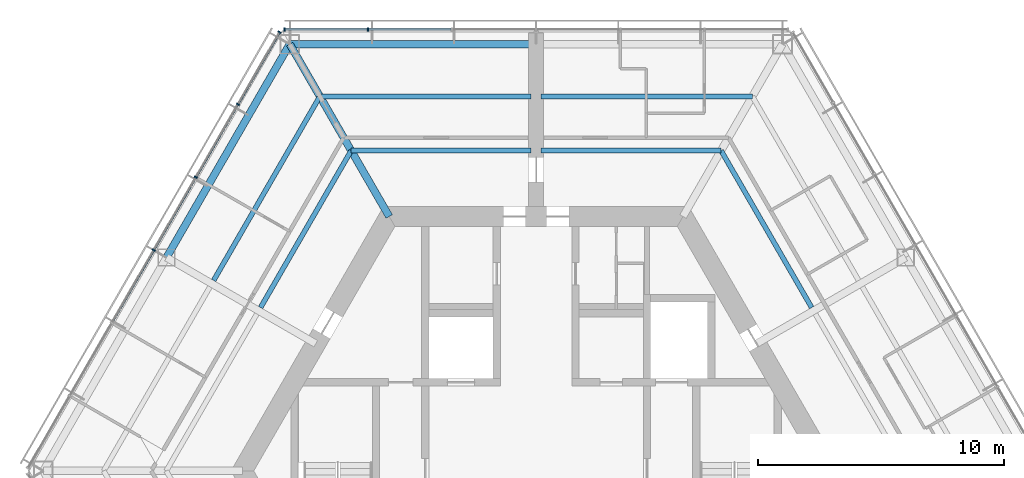
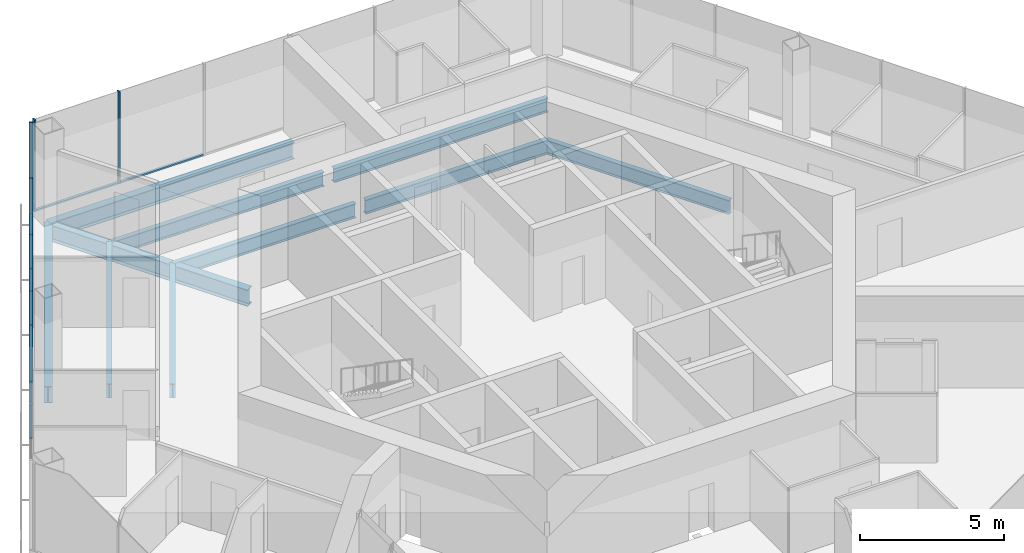
# One storey, part 6 of 17: 12 members, 10 beams, 2 elements without a shape of their own.
"""IFC4 building model written with IfcOpenShell, lengths in metres."""

import ifcopenshell
import ifcopenshell.guid

model = None  # the IFC model being written
_history = None  # IfcOwnerHistory: only IFC2X3 demands one
_inside = {}  # id of a spatial element -> (the spatial element, [elements in it])
_under = {}  # id of a project, library or spatial element -> (it, [spatial elements below it])
_declared = {}  # id of a project -> (the project, [libraries it declares])
_typed = {}  # id of a type object -> (the type object, [elements of that type])
_made_of = {}  # id of a material, layer set ... -> (it, [elements and type objects made of it])


def new_model(schema):
    """Start an empty IFC model of exactly this schema.

    Asked for "IFC4X3", IfcOpenShell would pick the latest addendum, in which some entities
    have other attributes; the version numbers below select the first issue.
    IFC2X3 requires an IfcOwnerHistory on every rooted entity: one is made here for all.
    """
    global model, _history
    if schema == "IFC4X3":
        model = ifcopenshell.file(schema_version=(4, 3, 0, 0))
    else:
        model = ifcopenshell.file(schema=schema)
    _inside.clear()
    _under.clear()
    _declared.clear()
    _typed.clear()
    _made_of.clear()
    _history = None
    if model.schema == "IFC2X3":
        org = make("IfcOrganization", Name="unknown")
        user = make(
            "IfcPersonAndOrganization",
            ThePerson=make("IfcPerson", FamilyName="unknown"),
            TheOrganization=org,
        )
        app = make(
            "IfcApplication",
            ApplicationDeveloper=org,
            Version="unknown",
            ApplicationFullName="unknown",
            ApplicationIdentifier="unknown",
        )
        _history = make(
            "IfcOwnerHistory",
            OwningUser=user,
            OwningApplication=app,
            ChangeAction="ADDED",
            CreationDate=0,
        )
    return model


def make(cls, **values):
    """One entity of the class cls with the attributes given. An attribute that is None is left unset."""
    return model.create_entity(
        cls, **{name: value for name, value in values.items() if value is not None}
    )


def rooted(cls, **values):
    """An entity with a GlobalId (a new one), such as an element, a storey or a relation."""
    return make(cls, GlobalId=ifcopenshell.guid.new(), OwnerHistory=_history, **values)


def si_unit(unit_type, name, prefix=None):
    """IfcSIUnit, for example si_unit("LENGTHUNIT", "METRE", prefix="MILLI")."""
    return make("IfcSIUnit", UnitType=unit_type, Prefix=prefix, Name=name)


def assignment(units):
    """IfcUnitAssignment: the units of a project."""
    return None if units is None else make("IfcUnitAssignment", Units=units)


def point(xyz):
    """IfcCartesianPoint."""
    return None if xyz is None else make("IfcCartesianPoint", Coordinates=xyz)


def direction(xyz):
    """IfcDirection."""
    return None if xyz is None else make("IfcDirection", DirectionRatios=xyz)


def frame(location, z_axis=None, x_axis=None):
    """IfcAxis2Placement3D, a coordinate frame: its origin and axes. An axis left out is left unset."""
    return make(
        "IfcAxis2Placement3D",
        Location=point(location),
        Axis=direction(z_axis),
        RefDirection=direction(x_axis),
    )


def frame_2d(location, x_axis=None):
    """IfcAxis2Placement2D, a coordinate frame in the plane: its origin and x axis."""
    return make(
        "IfcAxis2Placement2D", Location=point(location), RefDirection=direction(x_axis)
    )


def origin():
    """The frame at (0, 0, 0) with its axes left unset."""
    return frame((0.0, 0.0, 0.0))


def origin_2d():
    """The frame at (0, 0) in the plane with its x axis left unset."""
    return frame_2d((0.0, 0.0))


def place(relative_to, where):
    """IfcLocalPlacement: puts the frame where relative to a parent placement (None: the world)."""
    return make(
        "IfcLocalPlacement", PlacementRelTo=relative_to, RelativePlacement=where
    )


def context(
    kind, dimensions, precision=None, world=None, true_north=None, identifier=None
):
    """IfcGeometricRepresentationContext, for example the 3D "Model" context."""
    return make(
        "IfcGeometricRepresentationContext",
        ContextIdentifier=identifier,
        ContextType=kind,
        CoordinateSpaceDimension=dimensions,
        Precision=precision,
        WorldCoordinateSystem=world,
        TrueNorth=true_north,
    )


def subcontext(parent, identifier, kind, view, scale=None):
    """IfcGeometricRepresentationSubContext, for example "Body" below "Model"."""
    return make(
        "IfcGeometricRepresentationSubContext",
        ContextIdentifier=identifier,
        ContextType=kind,
        ParentContext=parent,
        TargetScale=scale,
        TargetView=view,
    )


def project(units=None, contexts=None):
    """IfcProject with its units and contexts."""
    return rooted(
        "IfcProject",
        Name="project",
        RepresentationContexts=contexts,
        UnitsInContext=assignment(units),
    )


def spatial(cls, under=None, at=None, **own):
    """A site, building, storey or space (cls), placed at a placement, below another one or the project."""
    s = rooted(cls, ObjectPlacement=at, **own)
    if under is not None:
        _under.setdefault(under.id(), (under, []))[1].append(s)
    return s


def profile(cls, at=None, kind="AREA", **sizes):
    """A parametric profile (cls). Its sizes go by their IFC names, for example OverallWidth=200.0."""
    return make(cls, ProfileType=kind, Position=at, **sizes)


def rectangle(**sizes):
    """IfcRectangleProfileDef."""
    return profile("IfcRectangleProfileDef", **sizes)


def i_section(**sizes):
    """IfcIShapeProfileDef."""
    return profile("IfcIShapeProfileDef", **sizes)


def extrude(swept, where, along, depth):
    """IfcExtrudedAreaSolid: the profile swept, set in the frame where, extruded along a direction by depth."""
    return make(
        "IfcExtrudedAreaSolid",
        SweptArea=swept,
        Position=where,
        ExtrudedDirection=direction(along),
        Depth=depth,
    )


def shape(context_of_items, identifier, shape_type, items):
    """IfcShapeRepresentation: the items that make up one representation, for example the "Body"."""
    return make(
        "IfcShapeRepresentation",
        ContextOfItems=context_of_items,
        RepresentationIdentifier=identifier,
        RepresentationType=shape_type,
        Items=items,
    )


def material(Name=None, Category=None):
    """IfcMaterial."""
    return make("IfcMaterial", Name=Name, Category=Category)


def material_profile(
    of_material, cross_section, Name=None, Category=None, Priority=None
):
    """IfcMaterialProfile: a cross section and its material."""
    return make(
        "IfcMaterialProfile",
        Name=Name,
        Material=of_material,
        Profile=cross_section,
        Priority=Priority,
        Category=Category,
    )


def profile_set(profiles, Name=None, composite=None):
    """IfcMaterialProfileSet."""
    return make(
        "IfcMaterialProfileSet",
        Name=Name,
        MaterialProfiles=profiles,
        CompositeProfile=composite,
    )


def made_of(thing, what):
    """Note that an element or type object is made of a material, layer set ...; save() writes the relation."""
    if what is not None:
        _made_of.setdefault(what.id(), (what, []))[1].append(thing)
    return thing


def type_object(cls, material=None, **own):
    """A type object (cls), such as IfcWallType, which elements share."""
    return made_of(rooted(cls, **own), material)


def element(
    cls,
    number,
    at=None,
    inside=None,
    cuts=None,
    type_object=None,
    material=None,
    context=None,
    identifier="Body",
    shape_type=None,
    held_by="IfcProductDefinitionShape",
    body=None,
    shapes=None,
    **own,
):
    """One element of the class cls, such as IfcWall. Its Tag is "e" and its number.

    at: its placement. inside: the storey or other place that contains it. cuts: it is an
    opening in that element (IfcRelVoidsElement). A single representation is given by context,
    identifier, shape_type and body (its items); several are given by shapes. held_by: the class
    of the entity that holds the representations. save() writes the other relations.
    """
    e = rooted(cls, Tag="e%d" % number, ObjectPlacement=at, **own)
    if body is not None:
        shapes = [shape(context, identifier, shape_type, body)]
    if shapes is not None:
        e.Representation = make(held_by, Representations=shapes)
    if inside is not None:
        _inside.setdefault(inside.id(), (inside, []))[1].append(e)
    if cuts is not None:
        rooted(
            "IfcRelVoidsElement", RelatingBuildingElement=cuts, RelatedOpeningElement=e
        )
    if type_object is not None:
        _typed.setdefault(type_object.id(), (type_object, []))[1].append(e)
    return made_of(e, material)


def aggregate(whole, parts):
    """IfcRelAggregates: a whole, such as a stair, and the parts it consists of."""
    return rooted("IfcRelAggregates", RelatingObject=whole, RelatedObjects=parts)


def save(model, path):
    """Write the relations noted so far, then the file.

    IfcRelAggregates (storeys below a building ...), IfcRelContainedInSpatialStructure (elements
    in a storey), IfcRelDefinesByType, IfcRelAssociatesMaterial and IfcRelDeclares: one each for
    every whole, place, type object, material and project.
    """
    for whole, parts in _under.values():
        aggregate(whole, parts)
    for where, things in _inside.values():
        rooted(
            "IfcRelContainedInSpatialStructure",
            RelatedElements=things,
            RelatingStructure=where,
        )
    for kind, things in _typed.values():
        rooted("IfcRelDefinesByType", RelatedObjects=things, RelatingType=kind)
    for what, things in _made_of.values():
        rooted("IfcRelAssociatesMaterial", RelatedObjects=things, RelatingMaterial=what)
    for by, libraries in _declared.values():
        rooted("IfcRelDeclares", RelatingContext=by, RelatedDefinitions=libraries)
    model.write(path)


model = new_model("IFC4")

# Units and contexts
model_context = context("Model", 3, precision=1e-05, world=origin(), true_north=direction((0.0, 1.0)))
body_context = subcontext(model_context, "Body", "Model", "MODEL_VIEW")
ifc_project = project(units=[si_unit("LENGTHUNIT", "METRE"), si_unit("AREAUNIT", "SQUARE_METRE"), si_unit("VOLUMEUNIT", "CUBIC_METRE"), si_unit("PLANEANGLEUNIT", "RADIAN"), si_unit("MASSUNIT", "GRAM", prefix="KILO")], contexts=[model_context])

# Site, building, storey
site_placement = place(None, origin())
site = spatial("IfcSite", under=ifc_project, at=site_placement, CompositionType="ELEMENT")
building_placement = place(site_placement, origin())
building = spatial("IfcBuilding", under=site, at=building_placement, Name="Kasaneha Research Tower", CompositionType="ELEMENT")
storey_placement = place(building_placement, frame((0.0, 0.0, 228.39990234375)))
storey = spatial("IfcBuildingStorey", under=building, at=storey_placement, Name="L57", CompositionType="ELEMENT", Elevation=228.39990234375)

# Beams
ifc_material_1 = material(Name="Steel SN490B", Category="steel")
ifc_material_profile_1 = material_profile(ifc_material_1, i_section(OverallWidth=0.199951171875, OverallDepth=0.60009765625, WebThickness=0.010986328125, FlangeThickness=0.01708984375, FilletRadius=0.012939453125, at=origin_2d()), Name="H-600x200x11x17")
ifc_profile_set_1 = profile_set([ifc_material_profile_1], Name="Steel SN490B")
beam_type_1 = type_object("IfcBeamType", Name="B1-3 secondary beam H-600x200x11x17", PredefinedType="JOIST", material=ifc_profile_set_1)
beam_1_placement = place(storey_placement, frame((7.505615234375, 13.0, -0.449951171875), z_axis=(0.499994443168, -0.866028611999, 0.0), x_axis=(0.866028611999, 0.499994443168, 0.0)))
element("IfcBeam", 1, at=beam_1_placement, inside=storey, type_object=beam_type_1, Name="Secondary beam RS030R1 L57", PredefinedType="JOIST", context=body_context, shape_type="SweptSolid", body=[
    extrude(i_section(OverallWidth=0.199951171875, OverallDepth=0.60009765625, WebThickness=0.010986328125, FlangeThickness=0.01708984375, FilletRadius=0.012939453125, at=origin_2d()), origin(), (0.0, 0.0, 1.0), 7.35546875),
])
beam_2_placement = place(storey_placement, frame((7.505615234375, 13.0, -0.449951171875), z_axis=(-1.0, 0.0, 0.0), x_axis=(0.0, -1.0, 0.0)))
element("IfcBeam", 2, at=beam_2_placement, inside=storey, type_object=beam_type_1, Name="Secondary beam RS090L1 L57", PredefinedType="JOIST", context=body_context, shape_type="SweptSolid", body=[
    extrude(i_section(OverallWidth=0.199951171875, OverallDepth=0.60009765625, WebThickness=0.010986328125, FlangeThickness=0.01708984375, FilletRadius=0.012939453125, at=origin_2d()), origin(), (0.0, 0.0, 1.0), 7.3056640625),
])
beam_3_placement = place(storey_placement, frame((8.775634765625, 15.199951171875, -0.449951171875), z_axis=(-1.0, 0.0, 0.0), x_axis=(0.0, -1.0, 0.0)))
element("IfcBeam", 3, at=beam_3_placement, inside=storey, type_object=beam_type_1, Name="Secondary beam RS090L2 L57", PredefinedType="JOIST", context=body_context, shape_type="SweptSolid", body=[
    extrude(i_section(OverallWidth=0.199951171875, OverallDepth=0.60009765625, WebThickness=0.010986328125, FlangeThickness=0.01708984375, FilletRadius=0.012939453125, at=origin_2d()), origin(), (0.0, 0.0, 1.0), 8.57568359375),
])
beam_4_placement = place(storey_placement, frame((-7.505615234375, 13.0, -0.449951171875), z_axis=(1.0, 0.0, 0.0), x_axis=(0.0, 1.0, 0.0)))
element("IfcBeam", 4, at=beam_4_placement, inside=storey, type_object=beam_type_1, Name="Secondary beam RS090R1 L57", PredefinedType="JOIST", context=body_context, shape_type="SweptSolid", body=[
    extrude(i_section(OverallWidth=0.199951171875, OverallDepth=0.60009765625, WebThickness=0.010986328125, FlangeThickness=0.01708984375, FilletRadius=0.012939453125, at=origin_2d()), origin(), (0.0, 0.0, 1.0), 7.3056640625),
])
beam_5_placement = place(storey_placement, frame((-8.775634765625, 15.199951171875, -0.449951171875), z_axis=(1.0, 0.0, 0.0), x_axis=(0.0, 1.0, 0.0)))
element("IfcBeam", 5, at=beam_5_placement, inside=storey, type_object=beam_type_1, Name="Secondary beam RS090R2 L57", PredefinedType="JOIST", context=body_context, shape_type="SweptSolid", body=[
    extrude(i_section(OverallWidth=0.199951171875, OverallDepth=0.60009765625, WebThickness=0.010986328125, FlangeThickness=0.01708984375, FilletRadius=0.012939453125, at=origin_2d()), origin(), (0.0, 0.0, 1.0), 8.57568359375),
])
beam_6_placement = place(storey_placement, frame((-7.505615234375, 13.0, -0.449951171875), z_axis=(-0.499994443168, -0.866028611999, 0.0), x_axis=(0.866028611999, -0.499994443168, 0.0)))
element("IfcBeam", 6, at=beam_6_placement, inside=storey, type_object=beam_type_1, Name="Secondary beam RS150L1 L57", PredefinedType="JOIST", context=body_context, shape_type="SweptSolid", body=[
    extrude(i_section(OverallWidth=0.199951171875, OverallDepth=0.60009765625, WebThickness=0.010986328125, FlangeThickness=0.01708984375, FilletRadius=0.012939453125, at=origin_2d()), origin(), (0.0, 0.0, 1.0), 7.35546875),
])
beam_7_placement = place(storey_placement, frame((-8.775634765625, 15.199951171875, -0.449951171875), z_axis=(-0.500017275495, -0.866015429543, 0.0), x_axis=(0.866015429543, -0.500017275495, 0.0)))
element("IfcBeam", 7, at=beam_7_placement, inside=storey, type_object=beam_type_1, Name="Secondary beam RS150L2 L57", PredefinedType="JOIST", context=body_context, shape_type="SweptSolid", body=[
    extrude(i_section(OverallWidth=0.199951171875, OverallDepth=0.60009765625, WebThickness=0.010986328125, FlangeThickness=0.01708984375, FilletRadius=0.012939453125, at=origin_2d()), origin(), (0.0, 0.0, 1.0), 8.625732421875),
])

# Curtain wall, members
ifc_material_2 = material(Name="Glass and aluminium", Category="aluminium")
curtain_wall_type = type_object("IfcCurtainWallType", Name="High-rise office curtain wall", PredefinedType="USERDEFINED", material=ifc_material_2)
curtain_wall_1_placement = place(storey_placement, origin())
curtain_wall_1 = element("IfcCurtainWall", 8, at=curtain_wall_1_placement, inside=storey, type_object=curtain_wall_type, Name="CW-O3 L57 run 02a", ObjectType="UNITISED CURTAIN WALL", PredefinedType="USERDEFINED")
ifc_material_3 = material(Name="Aluminium 6063-T6", Category="aluminium")
ifc_material_profile_2 = material_profile(ifc_material_3, rectangle(XDim=0.06005859375, YDim=0.139892578125, at=origin_2d()), Name="CW-O3 mullion 60x140")
ifc_profile_set_2 = profile_set([ifc_material_profile_2], Name="Aluminium 6063-T6")
member_type_1 = type_object("IfcMemberType", Name="CW-O3 mullion", PredefinedType="MULLION", material=ifc_profile_set_2)
member_1_placement = place(storey_placement, frame((-6.8310546875, 17.92041015625, 0.0), z_axis=(0.0, 0.0, 1.0), x_axis=(-1.0, 0.0, 0.0)))
member_1 = element("IfcMember", 9, at=member_1_placement, type_object=member_type_1, Name="CW-O3 mullion 6", PredefinedType="MULLION", context=body_context, shape_type="SweptSolid", body=[
    extrude(rectangle(XDim=0.06005859375, YDim=0.139892578125, at=origin_2d()), origin(), (0.0, 0.0, 1.0), 3.900146484375),
])
member_2_placement = place(storey_placement, frame((-10.21630859375, 17.92041015625, 0.0), z_axis=(0.0, 0.0, 1.0), x_axis=(-1.0, 0.0, 0.0)))
member_2 = element("IfcMember", 10, at=member_2_placement, type_object=member_type_1, Name="CW-O3 mullion 7", PredefinedType="MULLION", context=body_context, shape_type="SweptSolid", body=[
    extrude(rectangle(XDim=0.06005859375, YDim=0.139892578125, at=origin_2d()), origin(), (0.0, 0.0, 1.0), 3.900146484375),
])

curtain_wall_2_placement = place(storey_placement, origin())
curtain_wall_2 = element("IfcCurtainWall", 11, at=curtain_wall_2_placement, inside=storey, type_object=curtain_wall_type, Name="CW-O3 L57 run 03a", ObjectType="UNITISED CURTAIN WALL", PredefinedType="USERDEFINED")
member_3_placement = place(storey_placement, frame((-10.411376953125, 17.807861328125, 0.0), z_axis=(0.0, 0.0, 1.0), x_axis=(-0.499999995722, -0.866025406254, 0.0)))
member_3 = element("IfcMember", 12, at=member_3_placement, type_object=member_type_1, Name="CW-O3 mullion 1", PredefinedType="MULLION", context=body_context, shape_type="SweptSolid", body=[
    extrude(rectangle(XDim=0.06005859375, YDim=0.139892578125, at=origin_2d()), origin(), (0.0, 0.0, 1.0), 3.900146484375),
])
member_4_placement = place(storey_placement, frame((-12.104248046875, 14.8759765625, 0.0), z_axis=(0.0, 0.0, 1.0), x_axis=(-0.499999995722, -0.866025406254, 0.0)))
member_4 = element("IfcMember", 13, at=member_4_placement, type_object=member_type_1, Name="CW-O3 mullion 2", PredefinedType="MULLION", context=body_context, shape_type="SweptSolid", body=[
    extrude(rectangle(XDim=0.06005859375, YDim=0.139892578125, at=origin_2d()), origin(), (0.0, 0.0, 1.0), 3.900146484375),
])
member_5_placement = place(storey_placement, frame((-13.811767578125, 11.918212890625, 0.0), z_axis=(0.0, 0.0, 1.0), x_axis=(-0.499999995722, -0.866025406254, 0.0)))
member_5 = element("IfcMember", 14, at=member_5_placement, type_object=member_type_1, Name="CW-O3 mullion 3", PredefinedType="MULLION", context=body_context, shape_type="SweptSolid", body=[
    extrude(rectangle(XDim=0.06005859375, YDim=0.139892578125, at=origin_2d()), origin(), (0.0, 0.0, 1.0), 3.900146484375),
])
member_6_placement = place(storey_placement, frame((-15.51953125, 8.960205078125, 0.0), z_axis=(0.0, 0.0, 1.0), x_axis=(-0.499999995722, -0.866025406254, 0.0)))
member_6 = element("IfcMember", 15, at=member_6_placement, type_object=member_type_1, Name="CW-O3 mullion 4", PredefinedType="MULLION", context=body_context, shape_type="SweptSolid", body=[
    extrude(rectangle(XDim=0.06005859375, YDim=0.139892578125, at=origin_2d()), origin(), (0.0, 0.0, 1.0), 3.900146484375),
])

# Member
ifc_material_4 = material(Name="Aluminium 6063-T6", Category="aluminium")
ifc_material_profile_3 = material_profile(ifc_material_4, rectangle(XDim=0.10009765625, YDim=0.06005859375, at=origin_2d()), Name="CW-O3 transom 100x60")
ifc_profile_set_3 = profile_set([ifc_material_profile_3], Name="Aluminium 6063-T6")
member_type_2 = type_object("IfcMemberType", Name="CW-O3 transom", PredefinedType="USERDEFINED", material=ifc_profile_set_3)
member_7_placement = place(storey_placement, frame((-3.445556640625, 17.92041015625, 0.030029296875), z_axis=(-1.0, 0.0, 0.0), x_axis=(0.0, -1.0, 0.0)))
member_7 = element("IfcMember", 16, at=member_7_placement, type_object=member_type_2, Name="CW-O3 transom 5", ObjectType="TRANSOM", PredefinedType="USERDEFINED", context=body_context, shape_type="SweptSolid", body=[
    extrude(rectangle(XDim=0.10009765625, YDim=0.06005859375, at=origin_2d()), origin(), (0.0, 0.0, 1.0), 3.35546875),
])

member_8_placement = place(storey_placement, frame((-6.86083984375, 17.92041015625, 0.030029296875), z_axis=(-1.0, 0.0, 0.0), x_axis=(0.0, -1.0, 0.0)))
member_8 = element("IfcMember", 17, at=member_8_placement, type_object=member_type_2, Name="CW-O3 transom 6", ObjectType="TRANSOM", PredefinedType="USERDEFINED", context=body_context, shape_type="SweptSolid", body=[
    extrude(rectangle(XDim=0.10009765625, YDim=0.06005859375, at=origin_2d()), origin(), (0.0, 0.0, 1.0), 3.32568359375),
])

aggregate(curtain_wall_1, [member_1, member_2, member_7, member_8])

member_9_placement = place(storey_placement, frame((-10.426513671875, 17.781982421875, 0.030029296875), z_axis=(-0.49997666526, -0.866038875684, 0.0), x_axis=(0.866038875684, -0.49997666526, 0.0)))
member_9 = element("IfcMember", 18, at=member_9_placement, type_object=member_type_2, Name="CW-O3 transom 1", ObjectType="TRANSOM", PredefinedType="USERDEFINED", context=body_context, shape_type="SweptSolid", body=[
    extrude(rectangle(XDim=0.10009765625, YDim=0.06005859375, at=origin_2d()), origin(), (0.0, 0.0, 1.0), 3.325439453125),
])

member_10_placement = place(storey_placement, frame((-12.119140625, 14.85009765625, 0.030029296875), z_axis=(-0.499989072476, -0.866031712701, 0.0), x_axis=(0.866031712701, -0.499989072476, 0.0)))
member_10 = element("IfcMember", 19, at=member_10_placement, type_object=member_type_2, Name="CW-O3 transom 2", ObjectType="TRANSOM", PredefinedType="USERDEFINED", context=body_context, shape_type="SweptSolid", body=[
    extrude(rectangle(XDim=0.10009765625, YDim=0.06005859375, at=origin_2d()), origin(), (0.0, 0.0, 1.0), 3.35546875),
])

member_11_placement = place(storey_placement, frame((-13.826904296875, 11.89208984375, 0.030029296875), z_axis=(-0.500020578564, -0.866013522419, 0.0), x_axis=(0.866013522419, -0.500020578564, 0.0)))
member_11 = element("IfcMember", 20, at=member_11_placement, type_object=member_type_2, Name="CW-O3 transom 3", ObjectType="TRANSOM", PredefinedType="USERDEFINED", context=body_context, shape_type="SweptSolid", body=[
    extrude(rectangle(XDim=0.10009765625, YDim=0.06005859375, at=origin_2d()), origin(), (0.0, 0.0, 1.0), 3.355224609375),
])

member_12_placement = place(storey_placement, frame((-15.53466796875, 8.934326171875, 0.030029296875), z_axis=(-0.499989072476, -0.866031712701, 0.0), x_axis=(0.866031712701, -0.499989072476, 0.0)))
member_12 = element("IfcMember", 21, at=member_12_placement, type_object=member_type_2, Name="CW-O3 transom 4", ObjectType="TRANSOM", PredefinedType="USERDEFINED", context=body_context, shape_type="SweptSolid", body=[
    extrude(rectangle(XDim=0.10009765625, YDim=0.06005859375, at=origin_2d()), origin(), (0.0, 0.0, 1.0), 3.35546875),
])

aggregate(curtain_wall_2, [member_3, member_4, member_5, member_6, member_9, member_10, member_11, member_12])

# Beams
ifc_material_5 = material(Name="Steel SN490B", Category="steel")
ifc_material_profile_4 = material_profile(ifc_material_5, i_section(OverallWidth=0.300048828125, OverallDepth=0.699951171875, WebThickness=0.012939453125, FlangeThickness=0.02392578125, FilletRadius=0.01806640625, at=origin_2d()), Name="H-700x300x13x24")
ifc_profile_set_4 = profile_set([ifc_material_profile_4], Name="Steel SN490B")
beam_type_2 = type_object("IfcBeamType", Name="G1-3 radial girder H-700x300x13x24", PredefinedType="BEAM", material=ifc_profile_set_4)
beam_8_placement = place(storey_placement, frame((-5.961181640625, 10.324951171875, -0.5), z_axis=(-0.49999105496, 0.866030568144, 0.0), x_axis=(-0.866030568144, -0.49999105496, 0.0)))
element("IfcBeam", 22, at=beam_8_placement, inside=storey, type_object=beam_type_2, Name="Radial girder RV120 L57", PredefinedType="BEAM", context=body_context, shape_type="SweptSolid", body=[
    extrude(i_section(OverallWidth=0.300048828125, OverallDepth=0.699951171875, WebThickness=0.012939453125, FlangeThickness=0.02392578125, FilletRadius=0.01806640625, at=origin_2d()), origin(), (0.0, 0.0, 1.0), 8.077880859375),
])
ifc_material_6 = material(Name="Steel SN490B", Category="steel")
ifc_material_profile_5 = material_profile(ifc_material_6, i_section(OverallWidth=0.300048828125, OverallDepth=0.69189453125, WebThickness=0.012939453125, FlangeThickness=0.02001953125, FilletRadius=0.01806640625, at=origin_2d()), Name="H-692x300x13x20")
ifc_profile_set_5 = profile_set([ifc_material_profile_5], Name="Steel SN490B")
beam_type_3 = type_object("IfcBeamType", Name="G3-3 plate edge girder H-692x300x13x20", PredefinedType="BEAM", material=ifc_profile_set_5)
beam_9_placement = place(storey_placement, frame((-10.0, 17.320556640625, -0.495849609375), z_axis=(1.0, 0.0, 0.0), x_axis=(0.0, 1.0, 0.0)))
element("IfcBeam", 23, at=beam_9_placement, inside=storey, type_object=beam_type_3, Name="Plate edge girder PEAN L57", PredefinedType="BEAM", context=body_context, shape_type="SweptSolid", body=[
    extrude(i_section(OverallWidth=0.300048828125, OverallDepth=0.69189453125, WebThickness=0.012939453125, FlangeThickness=0.02001953125, FilletRadius=0.01806640625, at=origin_2d()), origin(), (0.0, 0.0, 1.0), 9.800048828125),
])
ifc_material_7 = material(Name="Steel SN490B", Category="steel")
ifc_material_profile_6 = material_profile(ifc_material_7, i_section(OverallWidth=0.300048828125, OverallDepth=0.69189453125, WebThickness=0.012939453125, FlangeThickness=0.02001953125, FilletRadius=0.01806640625, at=origin_2d()), Name="H-692x300x13x20")
ifc_profile_set_6 = profile_set([ifc_material_profile_6], Name="Steel SN490B")
beam_type_4 = type_object("IfcBeamType", Name="SB1-3 spandrel beam H-692x300x13x20", PredefinedType="SPANDREL", material=ifc_profile_set_6)
beam_10_placement = place(storey_placement, frame((-10.0, 17.320556640625, -0.495849609375), z_axis=(-0.499993662806, -0.866029062534, 0.0), x_axis=(0.866029062534, -0.499993662806, 0.0)))
element("IfcBeam", 24, at=beam_10_placement, inside=storey, type_object=beam_type_4, Name="Spandrel beam SR150L L57", PredefinedType="SPANDREL", context=body_context, shape_type="SweptSolid", body=[
    extrude(i_section(OverallWidth=0.300048828125, OverallDepth=0.69189453125, WebThickness=0.012939453125, FlangeThickness=0.02001953125, FilletRadius=0.01806640625, at=origin_2d()), origin(), (0.0, 0.0, 1.0), 10.000244140625),
])

save(model, "model.ifc")
